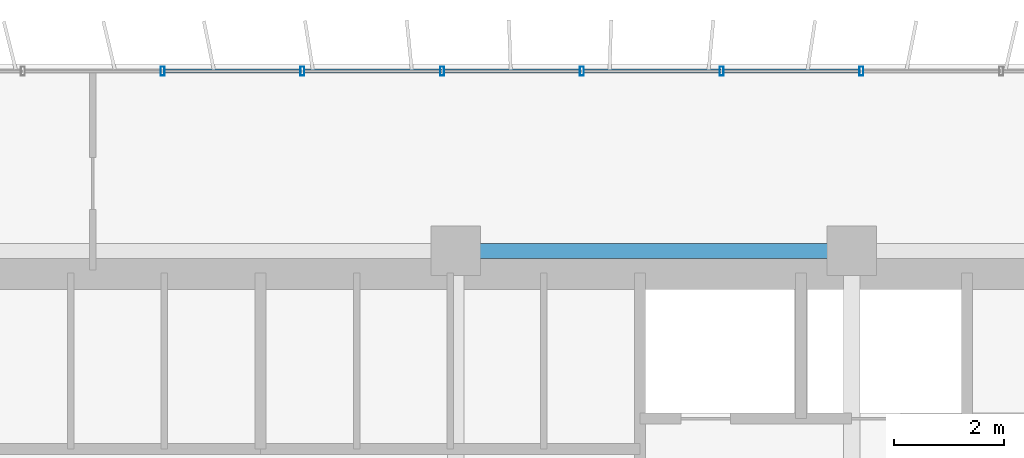
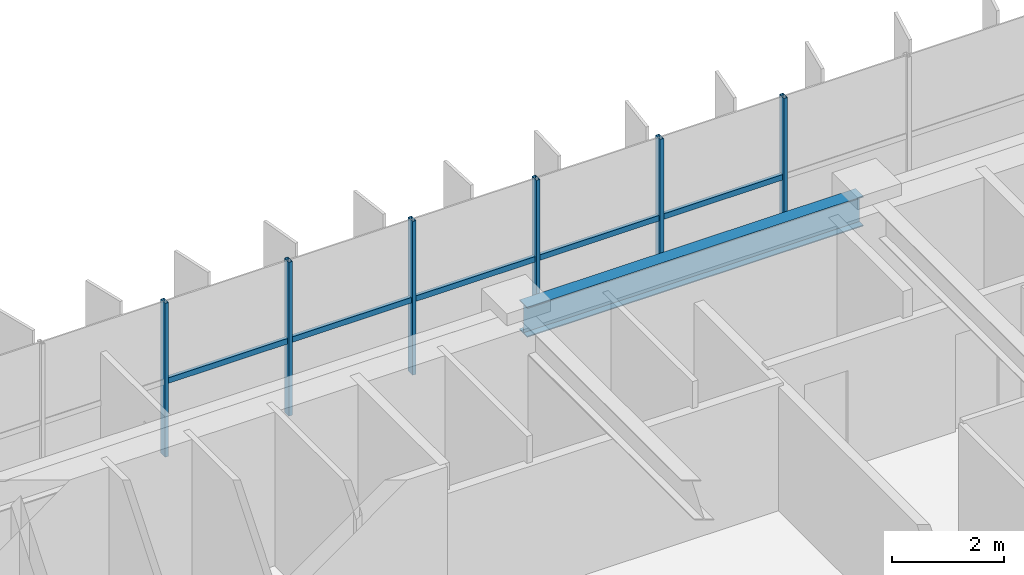
# One storey, part 10 of 22: 11 members, 1 beam, 1 element without a shape of its own.
"""IFC4 building model written with IfcOpenShell, lengths in metres."""

from ifc_helpers import new_model, si_unit, direction, frame, origin, origin_2d, place, context, subcontext, project, spatial, hollow_rectangle, i_section, extrude, source, transform, mapped, material, material_profile, profile_set, type_object, element, aggregate, save


model = new_model("IFC4")

# Units and contexts
model_context = context("Model", 3, precision=1e-05, world=origin(), true_north=direction((0.0, 1.0)))
body_context = subcontext(model_context, "Body", "Model", "MODEL_VIEW")
ifc_project = project(units=[si_unit("LENGTHUNIT", "METRE"), si_unit("AREAUNIT", "SQUARE_METRE"), si_unit("VOLUMEUNIT", "CUBIC_METRE"), si_unit("PLANEANGLEUNIT", "RADIAN"), si_unit("MASSUNIT", "GRAM", prefix="KILO")], contexts=[model_context])

# Site, building, storey
site_placement = place(None, origin())
site = spatial("IfcSite", under=ifc_project, at=site_placement, CompositionType="ELEMENT")
building_placement = place(site_placement, origin())
building = spatial("IfcBuilding", under=site, at=building_placement, Name="Trelvane Seafront Commons", CompositionType="ELEMENT")
storey_placement = place(building_placement, frame((0.0, 0.0, 52.300048828125)))
storey = spatial("IfcBuildingStorey", under=building, at=storey_placement, Name="L13", CompositionType="ELEMENT", Elevation=52.300048828125)

# Beam
ifc_material_1 = material(Name="Steel SM355 (S355)", Category="steel")
ifc_material_profile_1 = material_profile(ifc_material_1, i_section(OverallWidth=0.280029296875, OverallDepth=0.64990234375, WebThickness=0.012939453125, FlangeThickness=0.02197265625, at=origin_2d()), Name="H-650x280x13x22")
ifc_profile_set_1 = profile_set([ifc_material_profile_1], Name="Steel SM355 (S355)")
beam_type = type_object("IfcBeamType", Name="STR-BM-H650", PredefinedType="BEAM", material=ifc_profile_set_1)
shared_shape_1 = source(origin(), body_context, "Body", "SweptSolid", [
    extrude(i_section(OverallWidth=0.280029296875, OverallDepth=0.64990234375, WebThickness=0.012939453125, FlangeThickness=0.02197265625, at=origin_2d()), origin(), (0.0, 0.0, 1.0), 6.900146484375),
])
beam_placement = place(storey_placement, frame((43.949951171875, 45.10009765625, 3.014892578125), z_axis=(1.0, 0.0, 0.0), x_axis=(0.0, 1.0, 0.0)))
element("IfcBeam", 1, at=beam_placement, inside=storey, type_object=beam_type, Name="L13 Primary Girder G-33", PredefinedType="BEAM", context=body_context, shape_type="MappedRepresentation", body=[
    mapped(shared_shape_1, transform((0.0, 0.0, 0.0), x_axis=(1.0, 0.0, 0.0), y_axis=(0.0, 1.0, 0.0), z_axis=(0.0, 0.0, 1.0), scale=1.0)),
])

# Curtain wall, members
ifc_material_2 = material(Name="Anodised pale-silver aluminium", Category="aluminium")
curtain_wall_type = type_object("IfcCurtainWallType", Name="ARCH-CW2-LOWTOWER", PredefinedType="NOTDEFINED", material=ifc_material_2)
curtain_wall_placement = place(storey_placement, origin())
curtain_wall = element("IfcCurtainWall", 2, at=curtain_wall_placement, inside=storey, type_object=curtain_wall_type, Name="CW-L13-0037", PredefinedType="NOTDEFINED")
ifc_material_profile_2 = material_profile(ifc_material_2, hollow_rectangle(XDim=0.070068359375, YDim=0.1201171875, WallThickness=0.00390625, at=origin_2d()), Name="TRAN-70x120x4")
ifc_profile_set_2 = profile_set([ifc_material_profile_2], Name="Anodised pale-silver aluminium")
member_type_1 = type_object("IfcMemberType", Name="ARCH-CW-TRAN-120", PredefinedType="USERDEFINED", material=ifc_profile_set_2)
shared_shape_2 = source(origin(), body_context, "Body", "SweptSolid", [
    extrude(hollow_rectangle(XDim=0.070068359375, YDim=0.1201171875, WallThickness=0.00390625, at=origin_2d()), origin(), (0.0, 0.0, 1.0), 2.51708984375),
])
member_1_placement = place(storey_placement, frame((38.482666015625, 48.3701171875, 1.60302734375), z_axis=(1.0, 0.0, 0.0), x_axis=(0.0, 1.0, 0.0)))
member_1 = element("IfcMember", 3, at=member_1_placement, type_object=member_type_1, Name="CW-L13-0037-T09", ObjectType="TRANSOM", PredefinedType="USERDEFINED", context=body_context, shape_type="MappedRepresentation", body=[
    mapped(shared_shape_2, transform((0.0, 0.0, 0.0), x_axis=(1.0, 0.0, 0.0), y_axis=(0.0, 1.0, 0.0), z_axis=(0.0, 0.0, 1.0), scale=1.0)),
])
member_2_placement = place(storey_placement, frame((43.56494140625, 48.3701171875, 1.60302734375), z_axis=(1.0, 0.0, 0.0), x_axis=(0.0, 1.0, 0.0)))
member_2 = element("IfcMember", 4, at=member_2_placement, type_object=member_type_1, Name="CW-L13-0037-T11", ObjectType="TRANSOM", PredefinedType="USERDEFINED", context=body_context, shape_type="MappedRepresentation", body=[
    mapped(shared_shape_2, transform((0.0, 0.0, 0.0), x_axis=(1.0, 0.0, 0.0), y_axis=(0.0, 1.0, 0.0), z_axis=(0.0, 0.0, 1.0), scale=1.0)),
])
member_3_placement = place(storey_placement, frame((46.106201171875, 48.3701171875, 1.60302734375), z_axis=(1.0, 0.0, 0.0), x_axis=(0.0, 1.0, 0.0)))
member_3 = element("IfcMember", 5, at=member_3_placement, type_object=member_type_1, Name="CW-L13-0037-T12", ObjectType="TRANSOM", PredefinedType="USERDEFINED", context=body_context, shape_type="MappedRepresentation", body=[
    mapped(shared_shape_2, transform((0.0, 0.0, 0.0), x_axis=(1.0, 0.0, 0.0), y_axis=(0.0, 1.0, 0.0), z_axis=(0.0, 0.0, 1.0), scale=1.0)),
])
shared_shape_3 = source(origin(), body_context, "Body", "SweptSolid", [
    extrude(hollow_rectangle(XDim=0.070068359375, YDim=0.1201171875, WallThickness=0.00390625, at=origin_2d()), origin(), (0.0, 0.0, 1.0), 2.517333984375),
])
member_4_placement = place(storey_placement, frame((41.023681640625, 48.3701171875, 1.60302734375), z_axis=(1.0, 0.0, 0.0), x_axis=(0.0, 1.0, 0.0)))
member_4 = element("IfcMember", 6, at=member_4_placement, type_object=member_type_1, Name="CW-L13-0037-T10", ObjectType="TRANSOM", PredefinedType="USERDEFINED", context=body_context, shape_type="MappedRepresentation", body=[
    mapped(shared_shape_3, transform((0.0, 0.0, 0.0), x_axis=(1.0, 0.0, 0.0), y_axis=(0.0, 1.0, 0.0), z_axis=(0.0, 0.0, 1.0), scale=1.0)),
])
member_5_placement = place(storey_placement, frame((48.647216796875, 48.3701171875, 1.60302734375), z_axis=(1.0, 0.0, 0.0), x_axis=(0.0, 1.0, 0.0)))
member_5 = element("IfcMember", 7, at=member_5_placement, type_object=member_type_1, Name="CW-L13-0037-T13", ObjectType="TRANSOM", PredefinedType="USERDEFINED", context=body_context, shape_type="MappedRepresentation", body=[
    mapped(shared_shape_3, transform((0.0, 0.0, 0.0), x_axis=(1.0, 0.0, 0.0), y_axis=(0.0, 1.0, 0.0), z_axis=(0.0, 0.0, 1.0), scale=1.0)),
])
ifc_material_profile_3 = material_profile(ifc_material_2, hollow_rectangle(XDim=0.074951171875, YDim=0.159912109375, WallThickness=0.00390625, at=origin_2d()), Name="MULL-75x160x4")
ifc_profile_set_3 = profile_set([ifc_material_profile_3], Name="Anodised pale-silver aluminium")
member_type_2 = type_object("IfcMemberType", Name="ARCH-CW-MULL-160", PredefinedType="MULLION", material=ifc_profile_set_3)
shared_shape_4 = source(origin(), body_context, "Body", "SweptSolid", [
    extrude(hollow_rectangle(XDim=0.074951171875, YDim=0.159912109375, WallThickness=0.00390625, at=origin_2d()), origin(), (0.0, 0.0, 1.0), 3.33984375),
])
member_6_placement = place(storey_placement, frame((38.470703125, 48.3701171875, 0.0), z_axis=(0.0, 0.0, 1.0), x_axis=(1.0, 0.0, 0.0)))
member_6 = element("IfcMember", 8, at=member_6_placement, type_object=member_type_2, Name="CW-L13-0037-M09", PredefinedType="MULLION", context=body_context, shape_type="MappedRepresentation", body=[
    mapped(shared_shape_4, transform((0.0, 0.0, 0.0), x_axis=(1.0, 0.0, 0.0), y_axis=(0.0, 1.0, 0.0), z_axis=(0.0, 0.0, 1.0), scale=1.0)),
])
member_7_placement = place(storey_placement, frame((41.01171875, 48.3701171875, 0.0), z_axis=(0.0, 0.0, 1.0), x_axis=(1.0, 0.0, 0.0)))
member_7 = element("IfcMember", 9, at=member_7_placement, type_object=member_type_2, Name="CW-L13-0037-M10", PredefinedType="MULLION", context=body_context, shape_type="MappedRepresentation", body=[
    mapped(shared_shape_4, transform((0.0, 0.0, 0.0), x_axis=(1.0, 0.0, 0.0), y_axis=(0.0, 1.0, 0.0), z_axis=(0.0, 0.0, 1.0), scale=1.0)),
])
member_8_placement = place(storey_placement, frame((43.552978515625, 48.3701171875, 0.0), z_axis=(0.0, 0.0, 1.0), x_axis=(1.0, 0.0, 0.0)))
member_8 = element("IfcMember", 10, at=member_8_placement, type_object=member_type_2, Name="CW-L13-0037-M11", PredefinedType="MULLION", context=body_context, shape_type="MappedRepresentation", body=[
    mapped(shared_shape_4, transform((0.0, 0.0, 0.0), x_axis=(1.0, 0.0, 0.0), y_axis=(0.0, 1.0, 0.0), z_axis=(0.0, 0.0, 1.0), scale=1.0)),
])
member_9_placement = place(storey_placement, frame((46.093994140625, 48.3701171875, 0.0), z_axis=(0.0, 0.0, 1.0), x_axis=(1.0, 0.0, 0.0)))
member_9 = element("IfcMember", 11, at=member_9_placement, type_object=member_type_2, Name="CW-L13-0037-M12", PredefinedType="MULLION", context=body_context, shape_type="MappedRepresentation", body=[
    mapped(shared_shape_4, transform((0.0, 0.0, 0.0), x_axis=(1.0, 0.0, 0.0), y_axis=(0.0, 1.0, 0.0), z_axis=(0.0, 0.0, 1.0), scale=1.0)),
])
member_10_placement = place(storey_placement, frame((48.63525390625, 48.3701171875, 0.0), z_axis=(0.0, 0.0, 1.0), x_axis=(1.0, 0.0, 0.0)))
member_10 = element("IfcMember", 12, at=member_10_placement, type_object=member_type_2, Name="CW-L13-0037-M13", PredefinedType="MULLION", context=body_context, shape_type="MappedRepresentation", body=[
    mapped(shared_shape_4, transform((0.0, 0.0, 0.0), x_axis=(1.0, 0.0, 0.0), y_axis=(0.0, 1.0, 0.0), z_axis=(0.0, 0.0, 1.0), scale=1.0)),
])
member_11_placement = place(storey_placement, frame((51.176513671875, 48.3701171875, 0.0), z_axis=(0.0, 0.0, 1.0), x_axis=(1.0, 0.0, 0.0)))
member_11 = element("IfcMember", 13, at=member_11_placement, type_object=member_type_2, Name="CW-L13-0037-M14", PredefinedType="MULLION", context=body_context, shape_type="MappedRepresentation", body=[
    mapped(shared_shape_4, transform((0.0, 0.0, 0.0), x_axis=(1.0, 0.0, 0.0), y_axis=(0.0, 1.0, 0.0), z_axis=(0.0, 0.0, 1.0), scale=1.0)),
])
aggregate(curtain_wall, [member_6, member_7, member_8, member_9, member_10, member_11, member_1, member_4, member_2, member_3, member_5])

save(model, "model.ifc")
